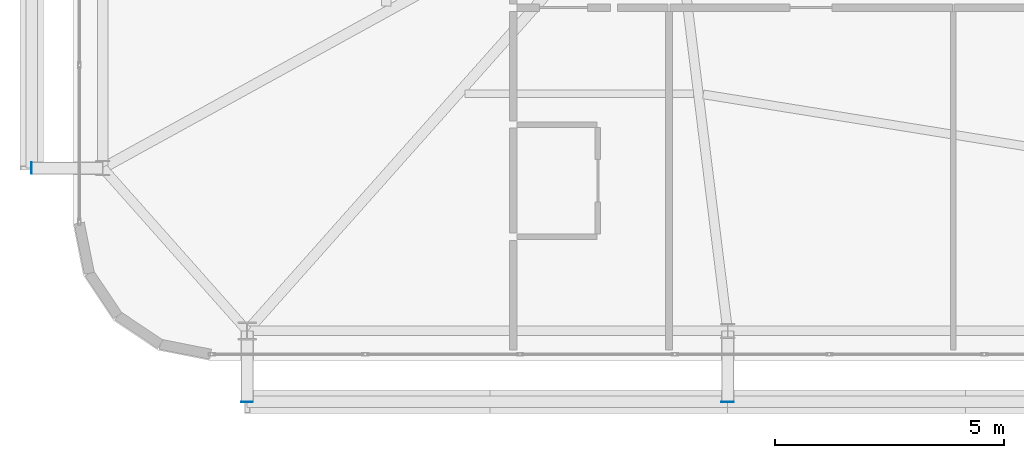
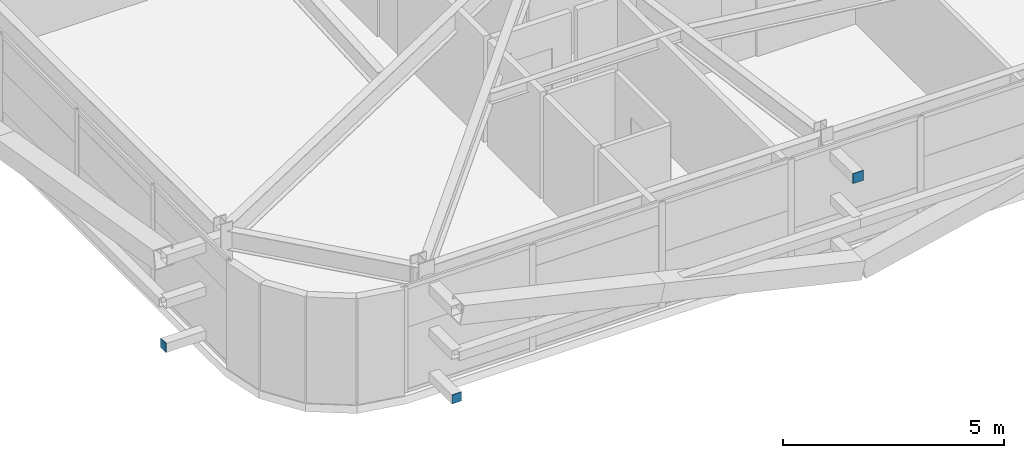
# One storey, part 44 of 58: 3 plates.
"""IFC4 building model written with IfcOpenShell, lengths in metres."""

from ifc_helpers import new_model, si_unit, direction, frame, origin, origin_2d, place, context, subcontext, project, spatial, rectangle, extrude, source, transform, mapped, material, layer, layer_set, type_object, element, save


model = new_model("IFC4")

# Units and contexts
model_context = context("Model", 3, precision=1e-05, world=origin(), true_north=direction((0.0, 1.0)))
body_context = subcontext(model_context, "Body", "Model", "MODEL_VIEW")
ifc_project = project(units=[si_unit("LENGTHUNIT", "METRE"), si_unit("AREAUNIT", "SQUARE_METRE"), si_unit("VOLUMEUNIT", "CUBIC_METRE"), si_unit("PLANEANGLEUNIT", "RADIAN"), si_unit("MASSUNIT", "GRAM", prefix="KILO")], contexts=[model_context])

# Site, building, storey
site_placement = place(None, origin())
site = spatial("IfcSite", under=ifc_project, at=site_placement, CompositionType="ELEMENT")
building_placement = place(site_placement, origin())
building = spatial("IfcBuilding", under=site, at=building_placement, Name="Taldren Reach Tower", CompositionType="ELEMENT")
storey_placement = place(building_placement, frame((0.0, 0.0, 51.449951171875)))
storey = spatial("IfcBuildingStorey", under=building, at=storey_placement, Name="L15", CompositionType="ELEMENT", Elevation=51.449951171875)

# Plates
ifc_material_1 = material(Name="Steel Gr 450 (C450L0)", Category="steel")
ifc_layer_1 = layer(ifc_material_1, 0.011962890625)
ifc_layer_set_1 = layer_set([ifc_layer_1], Name="Steel Gr 450 (C450L0)")
plate_type_1 = type_object("IfcPlateType", Name="PL-CAP-275", PredefinedType="SHEET", material=ifc_layer_set_1)
shared_shape_1 = source(origin(), body_context, "Body", "SweptSolid", [
    extrude(rectangle(XDim=0.27490234375, YDim=0.011962890625, at=origin_2d()), origin(), (0.0, 0.0, 1.0), 0.27490234375),
])
plate_1_placement = place(storey_placement, frame((19.280029296875, 0.593994140625, 2.5126953125), z_axis=(0.0, 0.0, 1.0), x_axis=(1.0, 0.0, 0.0)))
element("IfcPlate", 1, at=plate_1_placement, inside=storey, type_object=plate_type_1, Name="Tie strut end cap plate B1-S2 L15", PredefinedType="SHEET", context=body_context, shape_type="MappedRepresentation", body=[
    mapped(shared_shape_1, transform((0.0, 0.0, 0.0), scale=1.0)),
])
ifc_material_2 = material(Name="Steel Gr 350 (C350L0)", Category="steel")
ifc_layer_2 = layer(ifc_material_2, 0.011962890625)
ifc_layer_set_2 = layer_set([ifc_layer_2], Name="Steel Gr 350 (C350L0)")
plate_type_2 = type_object("IfcPlateType", Name="PL-CAP-250", PredefinedType="SHEET", material=ifc_layer_set_2)
shared_shape_2 = source(origin(), body_context, "Body", "SweptSolid", [
    extrude(rectangle(XDim=0.25, YDim=0.011962890625, at=origin_2d()), origin(), (0.0, 0.0, 1.0), 0.25),
])
plate_2_placement = place(storey_placement, frame((8.800048828125, 0.593994140625, 0.094970703125), z_axis=(0.0, 0.0, 1.0), x_axis=(1.0, 0.0, 0.0)))
element("IfcPlate", 2, at=plate_2_placement, inside=storey, type_object=plate_type_2, Name="Tie strut end cap plate B1-S1 L15", PredefinedType="SHEET", context=body_context, shape_type="MappedRepresentation", body=[
    mapped(shared_shape_2, transform((0.0, 0.0, 0.0), scale=1.0)),
])
shared_shape_3 = source(origin(), body_context, "Body", "SweptSolid", [
    extrude(rectangle(XDim=0.011962890625, YDim=0.25, at=origin_2d()), origin(), (0.0, 0.0, 1.0), 0.25),
])
plate_3_placement = place(storey_placement, frame((4.093994140625, 5.699951171875, 0.094970703125), z_axis=(0.0, 0.0, 1.0), x_axis=(1.0, 0.0, 0.0)))
element("IfcPlate", 3, at=plate_3_placement, inside=storey, type_object=plate_type_2, Name="Tie strut end cap plate B1-W1 L15", PredefinedType="SHEET", context=body_context, shape_type="MappedRepresentation", body=[
    mapped(shared_shape_3, transform((0.0, 0.0, 0.0), scale=1.0)),
])

save(model, "model.ifc")
